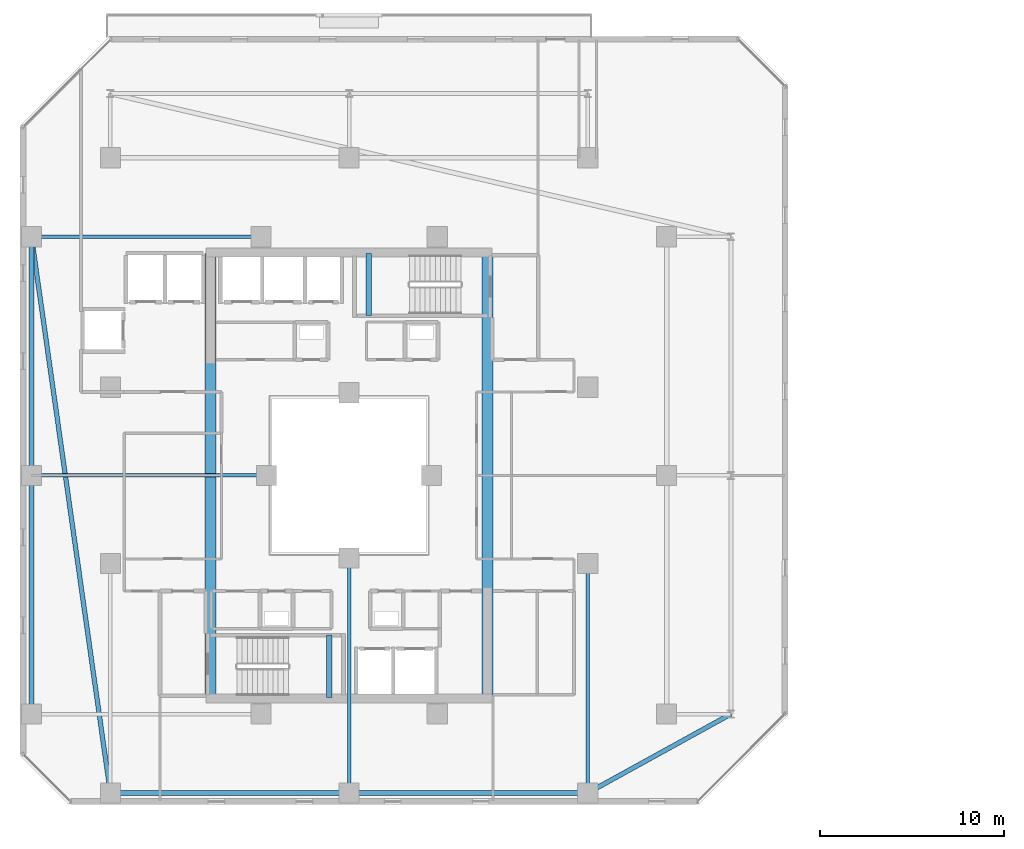
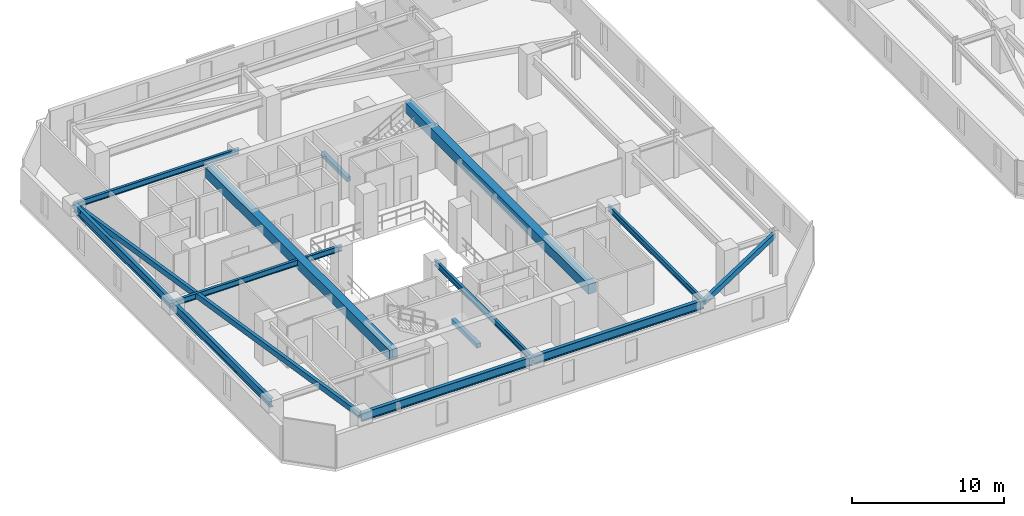
# One storey, part 4 of 33: 14 beams.
"""IFC4 building model written with IfcOpenShell, lengths in metres."""

from ifc_helpers import new_model, si_unit, direction, frame, origin, origin_2d, place, context, subcontext, project, spatial, rectangle, hollow_rectangle, i_section, extrude, material, material_profile, profile_set, type_object, element, save


model = new_model("IFC4")

# Units and contexts
model_context = context("Model", 3, precision=1e-05, world=origin(), true_north=direction((0.0, 1.0)))
body_context = subcontext(model_context, "Body", "Model", "MODEL_VIEW")
ifc_project = project(units=[si_unit("LENGTHUNIT", "METRE"), si_unit("AREAUNIT", "SQUARE_METRE"), si_unit("VOLUMEUNIT", "CUBIC_METRE"), si_unit("PLANEANGLEUNIT", "RADIAN"), si_unit("MASSUNIT", "GRAM", prefix="KILO")], contexts=[model_context])

# Site, building, storey
site_placement = place(None, origin())
site = spatial("IfcSite", under=ifc_project, at=site_placement, CompositionType="ELEMENT")
building_placement = place(site_placement, origin())
building = spatial("IfcBuilding", under=site, at=building_placement, Name="Thornwick Lancets Civic Towers", CompositionType="ELEMENT")
storey_placement = place(building_placement, frame((0.0, 0.0, 192.89990234375)))
storey = spatial("IfcBuildingStorey", under=building, at=storey_placement, Name="L51", CompositionType="ELEMENT", Elevation=192.89990234375)

# Beams
ifc_material_1 = material(Name="Concrete C60/75", Category="concrete")
ifc_material_profile_1 = material_profile(ifc_material_1, rectangle(XDim=0.60009765625, YDim=0.800048828125, at=origin_2d()), Name="RC 600x800")
ifc_profile_set_1 = profile_set([ifc_material_profile_1], Name="Concrete C60/75")
beam_type_1 = type_object("IfcBeamType", Name="BM_COUP_RC800", PredefinedType="BEAM", material=ifc_profile_set_1)
for number, where, z_axis, x_axis, name in (
    (1, (33.050048828125, 14.89990234375, 2.960205078125), (0.0, 1.0, 0.0), (-1.0, 0.0, 0.0), "CB-L51-A1"),
    (2, (17.949951171875, 14.89990234375, 2.960205078125), (0.0, 1.0, 0.0), (-1.0, 0.0, 0.0), "CB-L51-A2"),
):
    element("IfcBeam", number, at=place(storey_placement, frame(where, z_axis=z_axis, x_axis=x_axis)), inside=storey, type_object=beam_type_1, Name=name, PredefinedType="BEAM", context=body_context, shape_type="SweptSolid", body=[
        extrude(rectangle(XDim=0.60009765625, YDim=0.800048828125, at=origin_2d()), origin(), (0.0, 0.0, 1.0), 24.2001953125),
    ])
ifc_material_2 = material(Name="Steel S355JR", Category="steel")
ifc_material_profile_2 = material_profile(ifc_material_2, i_section(OverallWidth=0.255859375, OverallDepth=0.69287109375, WebThickness=0.014404296875, FlangeThickness=0.023681640625, FilletRadius=0.01513671875, at=origin_2d()), Name="UKB 686x254x170")
ifc_profile_set_2 = profile_set([ifc_material_profile_2], Name="Steel S355JR")
beam_type_2 = type_object("IfcBeamType", Name="BM_GIRD_686_170", PredefinedType="BEAM", material=ifc_profile_set_2)
beam_1_placement = place(storey_placement, frame((12.5, 9.699951171875, 3.013671875), z_axis=(1.0, 0.0, 0.0), x_axis=(0.0, 1.0, 0.0)))
element("IfcBeam", 3, at=beam_1_placement, inside=storey, type_object=beam_type_2, Name="BM-SPINE-L51-A-0-1", PredefinedType="BEAM", context=body_context, shape_type="SweptSolid", body=[
    extrude(i_section(OverallWidth=0.255859375, OverallDepth=0.69287109375, WebThickness=0.014404296875, FlangeThickness=0.023681640625, FilletRadius=0.01513671875, at=origin_2d()), origin(), (0.0, 0.0, 1.0), 13.0),
])
beam_2_placement = place(storey_placement, frame((25.580078125, 9.699951171875, 3.013671875), z_axis=(1.0, 0.0, 0.0), x_axis=(0.0, 1.0, 0.0)))
element("IfcBeam", 4, at=beam_2_placement, inside=storey, type_object=beam_type_2, Name="BM-SPINE-L51-A-1-2", PredefinedType="BEAM", context=body_context, shape_type="SweptSolid", body=[
    extrude(i_section(OverallWidth=0.255859375, OverallDepth=0.69287109375, WebThickness=0.014404296875, FlangeThickness=0.023681640625, FilletRadius=0.01513671875, at=origin_2d()), origin(), (0.0, 0.0, 1.0), 12.919921875),
])
beam_3_placement = place(storey_placement, frame((8.199951171875, 14.0, 3.013671875), z_axis=(0.0, 1.0, 0.0), x_axis=(-1.0, 0.0, 0.0)))
element("IfcBeam", 5, at=beam_3_placement, inside=storey, type_object=beam_type_2, Name="BM-SPINE-L51-A-9-10", PredefinedType="BEAM", context=body_context, shape_type="SweptSolid", body=[
    extrude(i_section(OverallWidth=0.255859375, OverallDepth=0.69287109375, WebThickness=0.014404296875, FlangeThickness=0.023681640625, FilletRadius=0.01513671875, at=origin_2d()), origin(), (0.0, 0.0, 1.0), 13.0),
])
beam_4_placement = place(storey_placement, frame((8.199951171875, 27.080078125, 3.013671875), z_axis=(0.0, 1.0, 0.0), x_axis=(-1.0, 0.0, 0.0)))
element("IfcBeam", 6, at=beam_4_placement, inside=storey, type_object=beam_type_2, Name="BM-SPINE-L51-A-10-11", PredefinedType="BEAM", context=body_context, shape_type="SweptSolid", body=[
    extrude(i_section(OverallWidth=0.255859375, OverallDepth=0.69287109375, WebThickness=0.014404296875, FlangeThickness=0.023681640625, FilletRadius=0.01513671875, at=origin_2d()), origin(), (0.0, 0.0, 1.0), 12.919921875),
])
ifc_material_profile_3 = material_profile(ifc_material_2, i_section(OverallWidth=0.19189453125, OverallDepth=0.46337890625, WebThickness=0.010498046875, FlangeThickness=0.017578125, FilletRadius=0.01025390625, at=origin_2d()), Name="UKB 457x191x89")
ifc_profile_set_3 = profile_set([ifc_material_profile_3], Name="Steel S355JR")
beam_type_3 = type_object("IfcBeamType", Name="BM_JOIST_457_89", PredefinedType="JOIST", material=ifc_profile_set_3)
beam_5_placement = place(storey_placement, frame((25.5, 22.5, 3.12841796875), z_axis=(0.0, -1.0, 0.0), x_axis=(1.0, 0.0, 0.0)))
element("IfcBeam", 7, at=beam_5_placement, inside=storey, type_object=beam_type_3, Name="BM-RADIN-L51-A02", PredefinedType="JOIST", context=body_context, shape_type="SweptSolid", body=[
    extrude(i_section(OverallWidth=0.19189453125, OverallDepth=0.46337890625, WebThickness=0.010498046875, FlangeThickness=0.017578125, FilletRadius=0.01025390625, at=origin_2d()), origin(), (0.0, 0.0, 1.0), 12.800048828125),
])
beam_6_placement = place(storey_placement, frame((38.5, 22.199951171875, 3.12841796875), z_axis=(0.0, -1.0, 0.0), x_axis=(1.0, 0.0, 0.0)))
element("IfcBeam", 8, at=beam_6_placement, inside=storey, type_object=beam_type_3, Name="BM-RADIN-L51-A03", PredefinedType="JOIST", context=body_context, shape_type="SweptSolid", body=[
    extrude(i_section(OverallWidth=0.19189453125, OverallDepth=0.46337890625, WebThickness=0.010498046875, FlangeThickness=0.017578125, FilletRadius=0.01025390625, at=origin_2d()), origin(), (0.0, 0.0, 1.0), 12.5),
])
beam_7_placement = place(storey_placement, frame((21.0, 27.0, 3.12841796875), z_axis=(-1.0, 0.0, 0.0), x_axis=(0.0, -1.0, 0.0)))
element("IfcBeam", 9, at=beam_7_placement, inside=storey, type_object=beam_type_3, Name="BM-RADIN-L51-A11", PredefinedType="JOIST", context=body_context, shape_type="SweptSolid", body=[
    extrude(i_section(OverallWidth=0.19189453125, OverallDepth=0.46337890625, WebThickness=0.010498046875, FlangeThickness=0.017578125, FilletRadius=0.01025390625, at=origin_2d()), origin(), (0.0, 0.0, 1.0), 12.800048828125),
])
beam_8_placement = place(storey_placement, frame((20.699951171875, 40.0, 3.12841796875), z_axis=(-1.0, 0.0, 0.0), x_axis=(0.0, -1.0, 0.0)))
element("IfcBeam", 10, at=beam_8_placement, inside=storey, type_object=beam_type_3, Name="BM-RADIN-L51-A12", PredefinedType="JOIST", context=body_context, shape_type="SweptSolid", body=[
    extrude(i_section(OverallWidth=0.19189453125, OverallDepth=0.46337890625, WebThickness=0.010498046875, FlangeThickness=0.017578125, FilletRadius=0.01025390625, at=origin_2d()), origin(), (0.0, 0.0, 1.0), 12.5),
])
ifc_material_profile_4 = material_profile(ifc_material_2, hollow_rectangle(XDim=0.25, YDim=0.449951171875, WallThickness=0.01611328125, at=origin_2d()), Name="RHS 450x250x16")
ifc_profile_set_4 = profile_set([ifc_material_profile_4], Name="Steel S355JR")
beam_type_4 = type_object("IfcBeamType", Name="BM_RING_RHS450", PredefinedType="BEAM", material=ifc_profile_set_4)
beam_9_placement = place(storey_placement, frame((38.5, 9.699951171875, 3.135009765625), z_axis=(0.875740348708, 0.482782395749, 0.0), x_axis=(-0.482782395749, 0.875740348708, 0.0)))
element("IfcBeam", 11, at=beam_9_placement, inside=storey, type_object=beam_type_4, Name="BM-CHAMF-L51-A-C0", PredefinedType="BEAM", context=body_context, shape_type="SweptSolid", body=[
    extrude(hollow_rectangle(XDim=0.25, YDim=0.449951171875, WallThickness=0.01611328125, at=origin_2d()), origin(), (0.0, 0.0, 1.0), 8.90673828125),
])
beam_10_placement = place(storey_placement, frame((8.199951171875, 40.0, 3.135009765625), z_axis=(0.140507712682, -0.990079584012, 0.0), x_axis=(0.990079584012, 0.140507712682, 0.0)))
element("IfcBeam", 12, at=beam_10_placement, inside=storey, type_object=beam_type_4, Name="BM-CHAMF-L51-A-C3", PredefinedType="BEAM", context=body_context, shape_type="SweptSolid", body=[
    extrude(hollow_rectangle(XDim=0.25, YDim=0.449951171875, WallThickness=0.01611328125, at=origin_2d()), origin(), (0.0, 0.0, 1.0), 30.603759765625),
])
ifc_material_3 = material(Name="Concrete C40/50", Category="concrete")
ifc_material_profile_5 = material_profile(ifc_material_3, rectangle(XDim=0.300048828125, YDim=0.35009765625, at=origin_2d()), Name="RC 300x350")
ifc_profile_set_5 = profile_set([ifc_material_profile_5], Name="Concrete C40/50")
beam_type_5 = type_object("IfcBeamType", Name="BM_STAIR_LDG", PredefinedType="BEAM", material=ifc_profile_set_5)
for number, where, z_axis, x_axis, name in (
    (13, (24.43505859375, 14.89990234375, 1.378173828125), (0.0, 1.0, 0.0), (-1.0, 0.0, 0.0), "L51 ST-A1 Landing Support Beam 1"),
    (14, (26.56494140625, 39.10009765625, 1.378173828125), (0.0, -1.0, 0.0), (1.0, 0.0, 0.0), "L51 ST-A2 Landing Support Beam 1"),
):
    element("IfcBeam", number, at=place(storey_placement, frame(where, z_axis=z_axis, x_axis=x_axis)), inside=storey, type_object=beam_type_5, Name=name, PredefinedType="BEAM", context=body_context, shape_type="SweptSolid", body=[
        extrude(rectangle(XDim=0.300048828125, YDim=0.35009765625, at=origin_2d()), origin(), (0.0, 0.0, 1.0), 3.400146484375),
    ])

save(model, "model.ifc")
